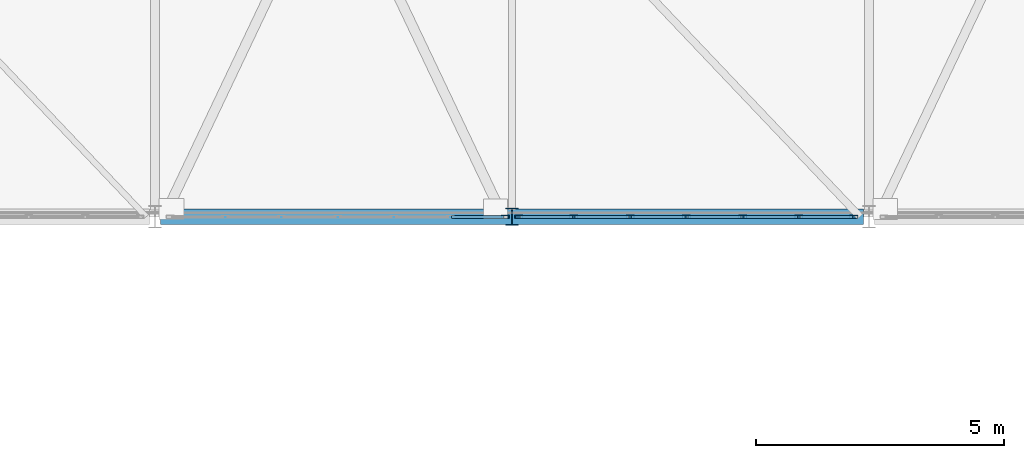
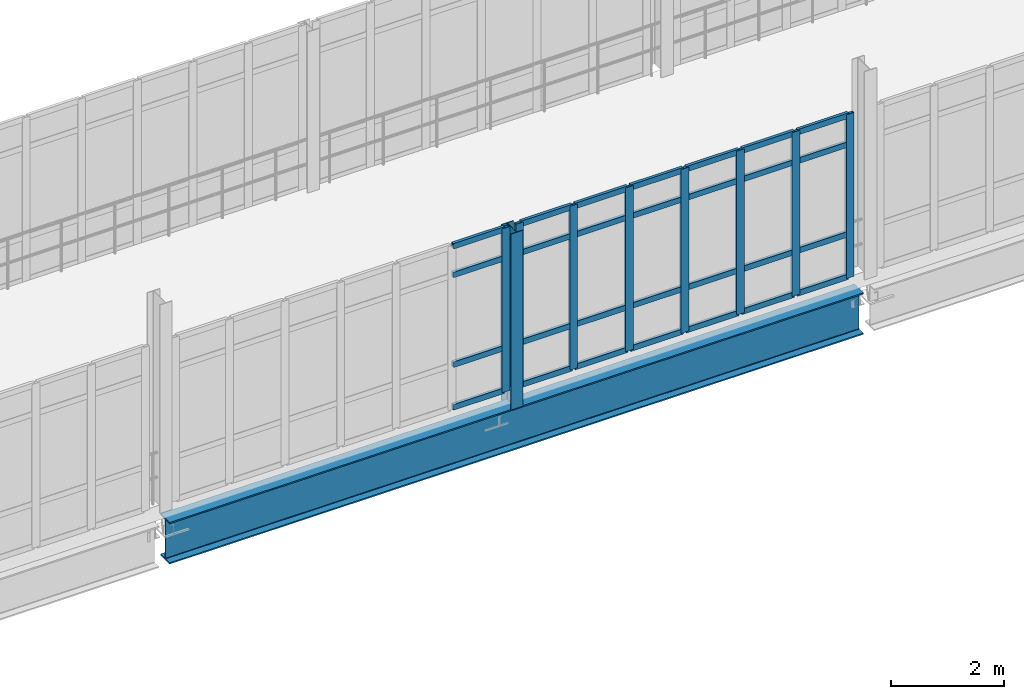
# One storey, part 20 of 124: 37 members, 1 beam, 2 elements without a shape of their own.
"""IFC4 building model written with IfcOpenShell, lengths in metres."""

import ifcopenshell
import ifcopenshell.guid

model = None  # the IFC model being written
_history = None  # IfcOwnerHistory: only IFC2X3 demands one
_inside = {}  # id of a spatial element -> (the spatial element, [elements in it])
_under = {}  # id of a project, library or spatial element -> (it, [spatial elements below it])
_declared = {}  # id of a project -> (the project, [libraries it declares])
_typed = {}  # id of a type object -> (the type object, [elements of that type])
_made_of = {}  # id of a material, layer set ... -> (it, [elements and type objects made of it])


def new_model(schema):
    """Start an empty IFC model of exactly this schema.

    Asked for "IFC4X3", IfcOpenShell would pick the latest addendum, in which some entities
    have other attributes; the version numbers below select the first issue.
    IFC2X3 requires an IfcOwnerHistory on every rooted entity: one is made here for all.
    """
    global model, _history
    if schema == "IFC4X3":
        model = ifcopenshell.file(schema_version=(4, 3, 0, 0))
    else:
        model = ifcopenshell.file(schema=schema)
    _inside.clear()
    _under.clear()
    _declared.clear()
    _typed.clear()
    _made_of.clear()
    _history = None
    if model.schema == "IFC2X3":
        org = make("IfcOrganization", Name="unknown")
        user = make(
            "IfcPersonAndOrganization",
            ThePerson=make("IfcPerson", FamilyName="unknown"),
            TheOrganization=org,
        )
        app = make(
            "IfcApplication",
            ApplicationDeveloper=org,
            Version="unknown",
            ApplicationFullName="unknown",
            ApplicationIdentifier="unknown",
        )
        _history = make(
            "IfcOwnerHistory",
            OwningUser=user,
            OwningApplication=app,
            ChangeAction="ADDED",
            CreationDate=0,
        )
    return model


def make(cls, **values):
    """One entity of the class cls with the attributes given. An attribute that is None is left unset."""
    return model.create_entity(
        cls, **{name: value for name, value in values.items() if value is not None}
    )


def rooted(cls, **values):
    """An entity with a GlobalId (a new one), such as an element, a storey or a relation."""
    return make(cls, GlobalId=ifcopenshell.guid.new(), OwnerHistory=_history, **values)


def si_unit(unit_type, name, prefix=None):
    """IfcSIUnit, for example si_unit("LENGTHUNIT", "METRE", prefix="MILLI")."""
    return make("IfcSIUnit", UnitType=unit_type, Prefix=prefix, Name=name)


def assignment(units):
    """IfcUnitAssignment: the units of a project."""
    return None if units is None else make("IfcUnitAssignment", Units=units)


def point(xyz):
    """IfcCartesianPoint."""
    return None if xyz is None else make("IfcCartesianPoint", Coordinates=xyz)


def direction(xyz):
    """IfcDirection."""
    return None if xyz is None else make("IfcDirection", DirectionRatios=xyz)


def frame(location, z_axis=None, x_axis=None):
    """IfcAxis2Placement3D, a coordinate frame: its origin and axes. An axis left out is left unset."""
    return make(
        "IfcAxis2Placement3D",
        Location=point(location),
        Axis=direction(z_axis),
        RefDirection=direction(x_axis),
    )


def frame_2d(location, x_axis=None):
    """IfcAxis2Placement2D, a coordinate frame in the plane: its origin and x axis."""
    return make(
        "IfcAxis2Placement2D", Location=point(location), RefDirection=direction(x_axis)
    )


def origin():
    """The frame at (0, 0, 0) with its axes left unset."""
    return frame((0.0, 0.0, 0.0))


def origin_2d():
    """The frame at (0, 0) in the plane with its x axis left unset."""
    return frame_2d((0.0, 0.0))


def place(relative_to, where):
    """IfcLocalPlacement: puts the frame where relative to a parent placement (None: the world)."""
    return make(
        "IfcLocalPlacement", PlacementRelTo=relative_to, RelativePlacement=where
    )


def context(
    kind, dimensions, precision=None, world=None, true_north=None, identifier=None
):
    """IfcGeometricRepresentationContext, for example the 3D "Model" context."""
    return make(
        "IfcGeometricRepresentationContext",
        ContextIdentifier=identifier,
        ContextType=kind,
        CoordinateSpaceDimension=dimensions,
        Precision=precision,
        WorldCoordinateSystem=world,
        TrueNorth=true_north,
    )


def subcontext(parent, identifier, kind, view, scale=None):
    """IfcGeometricRepresentationSubContext, for example "Body" below "Model"."""
    return make(
        "IfcGeometricRepresentationSubContext",
        ContextIdentifier=identifier,
        ContextType=kind,
        ParentContext=parent,
        TargetScale=scale,
        TargetView=view,
    )


def project(units=None, contexts=None):
    """IfcProject with its units and contexts."""
    return rooted(
        "IfcProject",
        Name="project",
        RepresentationContexts=contexts,
        UnitsInContext=assignment(units),
    )


def spatial(cls, under=None, at=None, **own):
    """A site, building, storey or space (cls), placed at a placement, below another one or the project."""
    s = rooted(cls, ObjectPlacement=at, **own)
    if under is not None:
        _under.setdefault(under.id(), (under, []))[1].append(s)
    return s


def profile(cls, at=None, kind="AREA", **sizes):
    """A parametric profile (cls). Its sizes go by their IFC names, for example OverallWidth=200.0."""
    return make(cls, ProfileType=kind, Position=at, **sizes)


def hollow_rectangle(**sizes):
    """IfcRectangleHollowProfileDef."""
    return profile("IfcRectangleHollowProfileDef", **sizes)


def i_section(**sizes):
    """IfcIShapeProfileDef."""
    return profile("IfcIShapeProfileDef", **sizes)


def extrude(swept, where, along, depth):
    """IfcExtrudedAreaSolid: the profile swept, set in the frame where, extruded along a direction by depth."""
    return make(
        "IfcExtrudedAreaSolid",
        SweptArea=swept,
        Position=where,
        ExtrudedDirection=direction(along),
        Depth=depth,
    )


def shape(context_of_items, identifier, shape_type, items):
    """IfcShapeRepresentation: the items that make up one representation, for example the "Body"."""
    return make(
        "IfcShapeRepresentation",
        ContextOfItems=context_of_items,
        RepresentationIdentifier=identifier,
        RepresentationType=shape_type,
        Items=items,
    )


def material(Name=None, Category=None):
    """IfcMaterial."""
    return make("IfcMaterial", Name=Name, Category=Category)


def material_profile(
    of_material, cross_section, Name=None, Category=None, Priority=None
):
    """IfcMaterialProfile: a cross section and its material."""
    return make(
        "IfcMaterialProfile",
        Name=Name,
        Material=of_material,
        Profile=cross_section,
        Priority=Priority,
        Category=Category,
    )


def profile_set(profiles, Name=None, composite=None):
    """IfcMaterialProfileSet."""
    return make(
        "IfcMaterialProfileSet",
        Name=Name,
        MaterialProfiles=profiles,
        CompositeProfile=composite,
    )


def made_of(thing, what):
    """Note that an element or type object is made of a material, layer set ...; save() writes the relation."""
    if what is not None:
        _made_of.setdefault(what.id(), (what, []))[1].append(thing)
    return thing


def type_object(cls, material=None, **own):
    """A type object (cls), such as IfcWallType, which elements share."""
    return made_of(rooted(cls, **own), material)


def element(
    cls,
    number,
    at=None,
    inside=None,
    cuts=None,
    type_object=None,
    material=None,
    context=None,
    identifier="Body",
    shape_type=None,
    held_by="IfcProductDefinitionShape",
    body=None,
    shapes=None,
    **own,
):
    """One element of the class cls, such as IfcWall. Its Tag is "e" and its number.

    at: its placement. inside: the storey or other place that contains it. cuts: it is an
    opening in that element (IfcRelVoidsElement). A single representation is given by context,
    identifier, shape_type and body (its items); several are given by shapes. held_by: the class
    of the entity that holds the representations. save() writes the other relations.
    """
    e = rooted(cls, Tag="e%d" % number, ObjectPlacement=at, **own)
    if body is not None:
        shapes = [shape(context, identifier, shape_type, body)]
    if shapes is not None:
        e.Representation = make(held_by, Representations=shapes)
    if inside is not None:
        _inside.setdefault(inside.id(), (inside, []))[1].append(e)
    if cuts is not None:
        rooted(
            "IfcRelVoidsElement", RelatingBuildingElement=cuts, RelatedOpeningElement=e
        )
    if type_object is not None:
        _typed.setdefault(type_object.id(), (type_object, []))[1].append(e)
    return made_of(e, material)


def aggregate(whole, parts):
    """IfcRelAggregates: a whole, such as a stair, and the parts it consists of."""
    return rooted("IfcRelAggregates", RelatingObject=whole, RelatedObjects=parts)


def save(model, path):
    """Write the relations noted so far, then the file.

    IfcRelAggregates (storeys below a building ...), IfcRelContainedInSpatialStructure (elements
    in a storey), IfcRelDefinesByType, IfcRelAssociatesMaterial and IfcRelDeclares: one each for
    every whole, place, type object, material and project.
    """
    for whole, parts in _under.values():
        aggregate(whole, parts)
    for where, things in _inside.values():
        rooted(
            "IfcRelContainedInSpatialStructure",
            RelatedElements=things,
            RelatingStructure=where,
        )
    for kind, things in _typed.values():
        rooted("IfcRelDefinesByType", RelatedObjects=things, RelatingType=kind)
    for what, things in _made_of.values():
        rooted("IfcRelAssociatesMaterial", RelatedObjects=things, RelatingMaterial=what)
    for by, libraries in _declared.values():
        rooted("IfcRelDeclares", RelatingContext=by, RelatedDefinitions=libraries)
    model.write(path)


model = new_model("IFC4")

# Units and contexts
model_context = context("Model", 3, precision=1e-05, world=origin(), true_north=direction((0.0, 1.0)))
body_context = subcontext(model_context, "Body", "Model", "MODEL_VIEW")
ifc_project = project(units=[si_unit("LENGTHUNIT", "METRE"), si_unit("AREAUNIT", "SQUARE_METRE"), si_unit("VOLUMEUNIT", "CUBIC_METRE"), si_unit("PLANEANGLEUNIT", "RADIAN"), si_unit("MASSUNIT", "GRAM", prefix="KILO")], contexts=[model_context])

# Site, building, storey
site_placement = place(None, origin())
site = spatial("IfcSite", under=ifc_project, at=site_placement, CompositionType="ELEMENT")
building_placement = place(site_placement, origin())
building = spatial("IfcBuilding", under=site, at=building_placement, Name="Kalluvel Institute of Natural Sciences", CompositionType="ELEMENT")
storey_placement = place(building_placement, frame((0.0, 0.0, 9.89990234375)))
storey = spatial("IfcBuildingStorey", under=building, at=storey_placement, Name="L02", CompositionType="ELEMENT", Elevation=9.89990234375)

# Beam
ifc_material_1 = material(Name="Steel E350 Grade 350", Category="steel")
ifc_material_profile_1 = material_profile(ifc_material_1, i_section(OverallWidth=0.320068359375, OverallDepth=0.89990234375, WebThickness=0.01611328125, FlangeThickness=0.028076171875, FilletRadius=0.01806640625, at=origin_2d()), Name="WPG 900x320")
ifc_profile_set_1 = profile_set([ifc_material_profile_1], Name="Steel E350 Grade 350")
beam_type = type_object("IfcBeamType", Name="BM-WPG900", PredefinedType="BEAM", material=ifc_profile_set_1)
beam_placement = place(storey_placement, frame((50.110107421875, 28.39990234375, -0.77001953125), z_axis=(1.0, 0.0, 0.0), x_axis=(0.0, 1.0, 0.0)))
element("IfcBeam", 1, at=beam_placement, inside=storey, type_object=beam_type, Name="L02 link bridge main plate-girder chord 2", PredefinedType="BEAM", context=body_context, shape_type="SweptSolid", body=[
    extrude(i_section(OverallWidth=0.320068359375, OverallDepth=0.89990234375, WebThickness=0.01611328125, FlangeThickness=0.028076171875, FilletRadius=0.01806640625, at=origin_2d()), origin(), (0.0, 0.0, 1.0), 14.179931640625),
])

# Curtain wall, member
ifc_material_2 = material(Name="Aluminium AW-6063 T6", Category="aluminium")
curtain_wall_type = type_object("IfcCurtainWallType", Name="CW-BRG-45", PredefinedType="USERDEFINED", material=ifc_material_2)
curtain_wall_1_placement = place(storey_placement, origin())
curtain_wall_1 = element("IfcCurtainWall", 2, at=curtain_wall_1_placement, inside=storey, type_object=curtain_wall_type, Name="L02 Gothic lancet curtain wall CWA-L02-X503-Y284", ObjectType="UNITISED LANCET FACADE", PredefinedType="USERDEFINED")
ifc_material_profile_2 = material_profile(ifc_material_2, hollow_rectangle(XDim=0.06005859375, YDim=0.159912109375, WallThickness=0.00390625, at=origin_2d()), Name="CWM 60x160")
ifc_profile_set_2 = profile_set([ifc_material_profile_2], Name="Aluminium AW-6063 T6")
member_type_1 = type_object("IfcMemberType", Name="CWM-60x160", PredefinedType="MULLION", material=ifc_profile_set_2)
member_1_placement = place(storey_placement, frame((57.06005859375, 28.39990234375, 0.0), z_axis=(0.0, 0.0, 1.0), x_axis=(0.0, 1.0, 0.0)))
member_1 = element("IfcMember", 3, at=member_1_placement, type_object=member_type_1, Name="CW-07 mullion 7", PredefinedType="MULLION", context=body_context, shape_type="SweptSolid", body=[
    extrude(hollow_rectangle(XDim=0.06005859375, YDim=0.159912109375, WallThickness=0.00390625, at=origin_2d()), origin(), (0.0, 0.0, 1.0), 3.5400390625),
])

# Curtain wall, members
curtain_wall_2_placement = place(storey_placement, origin())
curtain_wall_2 = element("IfcCurtainWall", 4, at=curtain_wall_2_placement, inside=storey, type_object=curtain_wall_type, Name="L02 Gothic lancet curtain wall CWA-L02-X573-Y284", ObjectType="UNITISED LANCET FACADE", PredefinedType="USERDEFINED")
member_2_placement = place(storey_placement, frame((57.340087890625, 28.39990234375, 0.0), z_axis=(0.0, 0.0, 1.0), x_axis=(0.0, 1.0, 0.0)))
member_2 = element("IfcMember", 5, at=member_2_placement, type_object=member_type_1, Name="CW-07 mullion 1", PredefinedType="MULLION", context=body_context, shape_type="SweptSolid", body=[
    extrude(hollow_rectangle(XDim=0.06005859375, YDim=0.159912109375, WallThickness=0.00390625, at=origin_2d()), origin(), (0.0, 0.0, 1.0), 3.5400390625),
])
member_3_placement = place(storey_placement, frame((58.44580078125, 28.39990234375, 0.0), z_axis=(0.0, 0.0, 1.0), x_axis=(0.0, 1.0, 0.0)))
member_3 = element("IfcMember", 6, at=member_3_placement, type_object=member_type_1, Name="CW-07 mullion 2", PredefinedType="MULLION", context=body_context, shape_type="SweptSolid", body=[
    extrude(hollow_rectangle(XDim=0.06005859375, YDim=0.159912109375, WallThickness=0.00390625, at=origin_2d()), origin(), (0.0, 0.0, 1.0), 3.5400390625),
])
member_4_placement = place(storey_placement, frame((59.581787109375, 28.39990234375, 0.0), z_axis=(0.0, 0.0, 1.0), x_axis=(0.0, 1.0, 0.0)))
member_4 = element("IfcMember", 7, at=member_4_placement, type_object=member_type_1, Name="CW-07 mullion 3", PredefinedType="MULLION", context=body_context, shape_type="SweptSolid", body=[
    extrude(hollow_rectangle(XDim=0.06005859375, YDim=0.159912109375, WallThickness=0.00390625, at=origin_2d()), origin(), (0.0, 0.0, 1.0), 3.5400390625),
])
member_5_placement = place(storey_placement, frame((60.717529296875, 28.39990234375, 0.0), z_axis=(0.0, 0.0, 1.0), x_axis=(0.0, 1.0, 0.0)))
member_5 = element("IfcMember", 8, at=member_5_placement, type_object=member_type_1, Name="CW-07 mullion 4", PredefinedType="MULLION", context=body_context, shape_type="SweptSolid", body=[
    extrude(hollow_rectangle(XDim=0.06005859375, YDim=0.159912109375, WallThickness=0.00390625, at=origin_2d()), origin(), (0.0, 0.0, 1.0), 3.5400390625),
])
member_6_placement = place(storey_placement, frame((61.853271484375, 28.39990234375, 0.0), z_axis=(0.0, 0.0, 1.0), x_axis=(0.0, 1.0, 0.0)))
member_6 = element("IfcMember", 9, at=member_6_placement, type_object=member_type_1, Name="CW-07 mullion 5", PredefinedType="MULLION", context=body_context, shape_type="SweptSolid", body=[
    extrude(hollow_rectangle(XDim=0.06005859375, YDim=0.159912109375, WallThickness=0.00390625, at=origin_2d()), origin(), (0.0, 0.0, 1.0), 3.5400390625),
])
member_7_placement = place(storey_placement, frame((62.9892578125, 28.39990234375, 0.0), z_axis=(0.0, 0.0, 1.0), x_axis=(0.0, 1.0, 0.0)))
member_7 = element("IfcMember", 10, at=member_7_placement, type_object=member_type_1, Name="CW-07 mullion 6", PredefinedType="MULLION", context=body_context, shape_type="SweptSolid", body=[
    extrude(hollow_rectangle(XDim=0.06005859375, YDim=0.159912109375, WallThickness=0.00390625, at=origin_2d()), origin(), (0.0, 0.0, 1.0), 3.5400390625),
])
member_8_placement = place(storey_placement, frame((64.094970703125, 28.39990234375, 0.0), z_axis=(0.0, 0.0, 1.0), x_axis=(0.0, 1.0, 0.0)))
member_8 = element("IfcMember", 11, at=member_8_placement, type_object=member_type_1, Name="CW-07 mullion 7", PredefinedType="MULLION", context=body_context, shape_type="SweptSolid", body=[
    extrude(hollow_rectangle(XDim=0.06005859375, YDim=0.159912109375, WallThickness=0.00390625, at=origin_2d()), origin(), (0.0, 0.0, 1.0), 3.5400390625),
])

# Member
ifc_material_profile_3 = material_profile(ifc_material_2, hollow_rectangle(XDim=0.06005859375, YDim=0.1201171875, WallThickness=0.00390625, at=origin_2d()), Name="CWT 60x120")
ifc_profile_set_3 = profile_set([ifc_material_profile_3], Name="Aluminium AW-6063 T6")
member_type_2 = type_object("IfcMemberType", Name="CWT-60x120", PredefinedType="USERDEFINED", material=ifc_profile_set_3)
member_9_placement = place(storey_placement, frame((55.984130859375, 28.39990234375, 0.030029296875), z_axis=(1.0, 0.0, 0.0), x_axis=(0.0, 1.0, 0.0)))
member_9 = element("IfcMember", 12, at=member_9_placement, type_object=member_type_2, Name="CW-07 transom 6.1", ObjectType="TRANSOM", PredefinedType="USERDEFINED", context=body_context, shape_type="SweptSolid", body=[
    extrude(hollow_rectangle(XDim=0.06005859375, YDim=0.1201171875, WallThickness=0.00390625, at=origin_2d()), origin(), (0.0, 0.0, 1.0), 1.0458984375),
])

member_10_placement = place(storey_placement, frame((55.984130859375, 28.39990234375, 0.9501953125), z_axis=(1.0, 0.0, 0.0), x_axis=(0.0, 1.0, 0.0)))
member_10 = element("IfcMember", 13, at=member_10_placement, type_object=member_type_2, Name="CW-07 transom 6.2", ObjectType="TRANSOM", PredefinedType="USERDEFINED", context=body_context, shape_type="SweptSolid", body=[
    extrude(hollow_rectangle(XDim=0.06005859375, YDim=0.1201171875, WallThickness=0.00390625, at=origin_2d()), origin(), (0.0, 0.0, 1.0), 1.0458984375),
])

member_11_placement = place(storey_placement, frame((55.984130859375, 28.39990234375, 2.89013671875), z_axis=(1.0, 0.0, 0.0), x_axis=(0.0, 1.0, 0.0)))
member_11 = element("IfcMember", 14, at=member_11_placement, type_object=member_type_2, Name="CW-07 transom 6.3", ObjectType="TRANSOM", PredefinedType="USERDEFINED", context=body_context, shape_type="SweptSolid", body=[
    extrude(hollow_rectangle(XDim=0.06005859375, YDim=0.1201171875, WallThickness=0.00390625, at=origin_2d()), origin(), (0.0, 0.0, 1.0), 1.0458984375),
])

member_12_placement = place(storey_placement, frame((55.984130859375, 28.39990234375, 3.510009765625), z_axis=(1.0, 0.0, 0.0), x_axis=(0.0, 1.0, 0.0)))
member_12 = element("IfcMember", 15, at=member_12_placement, type_object=member_type_2, Name="CW-07 transom 6.4", ObjectType="TRANSOM", PredefinedType="USERDEFINED", context=body_context, shape_type="SweptSolid", body=[
    extrude(hollow_rectangle(XDim=0.06005859375, YDim=0.1201171875, WallThickness=0.00390625, at=origin_2d()), origin(), (0.0, 0.0, 1.0), 1.0458984375),
])

aggregate(curtain_wall_1, [member_1, member_9, member_10, member_11, member_12])

member_13_placement = place(storey_placement, frame((57.3701171875, 28.39990234375, 0.030029296875), z_axis=(1.0, 0.0, 0.0), x_axis=(0.0, 1.0, 0.0)))
member_13 = element("IfcMember", 16, at=member_13_placement, type_object=member_type_2, Name="CW-07 transom 1.1", ObjectType="TRANSOM", PredefinedType="USERDEFINED", context=body_context, shape_type="SweptSolid", body=[
    extrude(hollow_rectangle(XDim=0.06005859375, YDim=0.1201171875, WallThickness=0.00390625, at=origin_2d()), origin(), (0.0, 0.0, 1.0), 1.045654296875),
])

member_14_placement = place(storey_placement, frame((57.3701171875, 28.39990234375, 0.9501953125), z_axis=(1.0, 0.0, 0.0), x_axis=(0.0, 1.0, 0.0)))
member_14 = element("IfcMember", 17, at=member_14_placement, type_object=member_type_2, Name="CW-07 transom 1.2", ObjectType="TRANSOM", PredefinedType="USERDEFINED", context=body_context, shape_type="SweptSolid", body=[
    extrude(hollow_rectangle(XDim=0.06005859375, YDim=0.1201171875, WallThickness=0.00390625, at=origin_2d()), origin(), (0.0, 0.0, 1.0), 1.045654296875),
])

member_15_placement = place(storey_placement, frame((57.3701171875, 28.39990234375, 2.89013671875), z_axis=(1.0, 0.0, 0.0), x_axis=(0.0, 1.0, 0.0)))
member_15 = element("IfcMember", 18, at=member_15_placement, type_object=member_type_2, Name="CW-07 transom 1.3", ObjectType="TRANSOM", PredefinedType="USERDEFINED", context=body_context, shape_type="SweptSolid", body=[
    extrude(hollow_rectangle(XDim=0.06005859375, YDim=0.1201171875, WallThickness=0.00390625, at=origin_2d()), origin(), (0.0, 0.0, 1.0), 1.045654296875),
])

member_16_placement = place(storey_placement, frame((57.3701171875, 28.39990234375, 3.510009765625), z_axis=(1.0, 0.0, 0.0), x_axis=(0.0, 1.0, 0.0)))
member_16 = element("IfcMember", 19, at=member_16_placement, type_object=member_type_2, Name="CW-07 transom 1.4", ObjectType="TRANSOM", PredefinedType="USERDEFINED", context=body_context, shape_type="SweptSolid", body=[
    extrude(hollow_rectangle(XDim=0.06005859375, YDim=0.1201171875, WallThickness=0.00390625, at=origin_2d()), origin(), (0.0, 0.0, 1.0), 1.045654296875),
])

member_17_placement = place(storey_placement, frame((58.475830078125, 28.39990234375, 0.030029296875), z_axis=(1.0, 0.0, 0.0), x_axis=(0.0, 1.0, 0.0)))
member_17 = element("IfcMember", 20, at=member_17_placement, type_object=member_type_2, Name="CW-07 transom 2.1", ObjectType="TRANSOM", PredefinedType="USERDEFINED", context=body_context, shape_type="SweptSolid", body=[
    extrude(hollow_rectangle(XDim=0.06005859375, YDim=0.1201171875, WallThickness=0.00390625, at=origin_2d()), origin(), (0.0, 0.0, 1.0), 1.075927734375),
])

member_18_placement = place(storey_placement, frame((58.475830078125, 28.39990234375, 0.9501953125), z_axis=(1.0, 0.0, 0.0), x_axis=(0.0, 1.0, 0.0)))
member_18 = element("IfcMember", 21, at=member_18_placement, type_object=member_type_2, Name="CW-07 transom 2.2", ObjectType="TRANSOM", PredefinedType="USERDEFINED", context=body_context, shape_type="SweptSolid", body=[
    extrude(hollow_rectangle(XDim=0.06005859375, YDim=0.1201171875, WallThickness=0.00390625, at=origin_2d()), origin(), (0.0, 0.0, 1.0), 1.075927734375),
])

member_19_placement = place(storey_placement, frame((58.475830078125, 28.39990234375, 2.89013671875), z_axis=(1.0, 0.0, 0.0), x_axis=(0.0, 1.0, 0.0)))
member_19 = element("IfcMember", 22, at=member_19_placement, type_object=member_type_2, Name="CW-07 transom 2.3", ObjectType="TRANSOM", PredefinedType="USERDEFINED", context=body_context, shape_type="SweptSolid", body=[
    extrude(hollow_rectangle(XDim=0.06005859375, YDim=0.1201171875, WallThickness=0.00390625, at=origin_2d()), origin(), (0.0, 0.0, 1.0), 1.075927734375),
])

member_20_placement = place(storey_placement, frame((58.475830078125, 28.39990234375, 3.510009765625), z_axis=(1.0, 0.0, 0.0), x_axis=(0.0, 1.0, 0.0)))
member_20 = element("IfcMember", 23, at=member_20_placement, type_object=member_type_2, Name="CW-07 transom 2.4", ObjectType="TRANSOM", PredefinedType="USERDEFINED", context=body_context, shape_type="SweptSolid", body=[
    extrude(hollow_rectangle(XDim=0.06005859375, YDim=0.1201171875, WallThickness=0.00390625, at=origin_2d()), origin(), (0.0, 0.0, 1.0), 1.075927734375),
])

member_21_placement = place(storey_placement, frame((59.611572265625, 28.39990234375, 0.030029296875), z_axis=(1.0, 0.0, 0.0), x_axis=(0.0, 1.0, 0.0)))
member_21 = element("IfcMember", 24, at=member_21_placement, type_object=member_type_2, Name="CW-07 transom 3.1", ObjectType="TRANSOM", PredefinedType="USERDEFINED", context=body_context, shape_type="SweptSolid", body=[
    extrude(hollow_rectangle(XDim=0.06005859375, YDim=0.1201171875, WallThickness=0.00390625, at=origin_2d()), origin(), (0.0, 0.0, 1.0), 1.075927734375),
])

member_22_placement = place(storey_placement, frame((59.611572265625, 28.39990234375, 0.9501953125), z_axis=(1.0, 0.0, 0.0), x_axis=(0.0, 1.0, 0.0)))
member_22 = element("IfcMember", 25, at=member_22_placement, type_object=member_type_2, Name="CW-07 transom 3.2", ObjectType="TRANSOM", PredefinedType="USERDEFINED", context=body_context, shape_type="SweptSolid", body=[
    extrude(hollow_rectangle(XDim=0.06005859375, YDim=0.1201171875, WallThickness=0.00390625, at=origin_2d()), origin(), (0.0, 0.0, 1.0), 1.075927734375),
])

member_23_placement = place(storey_placement, frame((59.611572265625, 28.39990234375, 2.89013671875), z_axis=(1.0, 0.0, 0.0), x_axis=(0.0, 1.0, 0.0)))
member_23 = element("IfcMember", 26, at=member_23_placement, type_object=member_type_2, Name="CW-07 transom 3.3", ObjectType="TRANSOM", PredefinedType="USERDEFINED", context=body_context, shape_type="SweptSolid", body=[
    extrude(hollow_rectangle(XDim=0.06005859375, YDim=0.1201171875, WallThickness=0.00390625, at=origin_2d()), origin(), (0.0, 0.0, 1.0), 1.075927734375),
])

member_24_placement = place(storey_placement, frame((59.611572265625, 28.39990234375, 3.510009765625), z_axis=(1.0, 0.0, 0.0), x_axis=(0.0, 1.0, 0.0)))
member_24 = element("IfcMember", 27, at=member_24_placement, type_object=member_type_2, Name="CW-07 transom 3.4", ObjectType="TRANSOM", PredefinedType="USERDEFINED", context=body_context, shape_type="SweptSolid", body=[
    extrude(hollow_rectangle(XDim=0.06005859375, YDim=0.1201171875, WallThickness=0.00390625, at=origin_2d()), origin(), (0.0, 0.0, 1.0), 1.075927734375),
])

member_25_placement = place(storey_placement, frame((60.74755859375, 28.39990234375, 0.030029296875), z_axis=(1.0, 0.0, 0.0), x_axis=(0.0, 1.0, 0.0)))
member_25 = element("IfcMember", 28, at=member_25_placement, type_object=member_type_2, Name="CW-07 transom 4.1", ObjectType="TRANSOM", PredefinedType="USERDEFINED", context=body_context, shape_type="SweptSolid", body=[
    extrude(hollow_rectangle(XDim=0.06005859375, YDim=0.1201171875, WallThickness=0.00390625, at=origin_2d()), origin(), (0.0, 0.0, 1.0), 1.07568359375),
])

member_26_placement = place(storey_placement, frame((60.74755859375, 28.39990234375, 0.9501953125), z_axis=(1.0, 0.0, 0.0), x_axis=(0.0, 1.0, 0.0)))
member_26 = element("IfcMember", 29, at=member_26_placement, type_object=member_type_2, Name="CW-07 transom 4.2", ObjectType="TRANSOM", PredefinedType="USERDEFINED", context=body_context, shape_type="SweptSolid", body=[
    extrude(hollow_rectangle(XDim=0.06005859375, YDim=0.1201171875, WallThickness=0.00390625, at=origin_2d()), origin(), (0.0, 0.0, 1.0), 1.07568359375),
])

member_27_placement = place(storey_placement, frame((60.74755859375, 28.39990234375, 2.89013671875), z_axis=(1.0, 0.0, 0.0), x_axis=(0.0, 1.0, 0.0)))
member_27 = element("IfcMember", 30, at=member_27_placement, type_object=member_type_2, Name="CW-07 transom 4.3", ObjectType="TRANSOM", PredefinedType="USERDEFINED", context=body_context, shape_type="SweptSolid", body=[
    extrude(hollow_rectangle(XDim=0.06005859375, YDim=0.1201171875, WallThickness=0.00390625, at=origin_2d()), origin(), (0.0, 0.0, 1.0), 1.07568359375),
])

member_28_placement = place(storey_placement, frame((60.74755859375, 28.39990234375, 3.510009765625), z_axis=(1.0, 0.0, 0.0), x_axis=(0.0, 1.0, 0.0)))
member_28 = element("IfcMember", 31, at=member_28_placement, type_object=member_type_2, Name="CW-07 transom 4.4", ObjectType="TRANSOM", PredefinedType="USERDEFINED", context=body_context, shape_type="SweptSolid", body=[
    extrude(hollow_rectangle(XDim=0.06005859375, YDim=0.1201171875, WallThickness=0.00390625, at=origin_2d()), origin(), (0.0, 0.0, 1.0), 1.07568359375),
])

member_29_placement = place(storey_placement, frame((61.88330078125, 28.39990234375, 0.030029296875), z_axis=(1.0, 0.0, 0.0), x_axis=(0.0, 1.0, 0.0)))
member_29 = element("IfcMember", 32, at=member_29_placement, type_object=member_type_2, Name="CW-07 transom 5.1", ObjectType="TRANSOM", PredefinedType="USERDEFINED", context=body_context, shape_type="SweptSolid", body=[
    extrude(hollow_rectangle(XDim=0.06005859375, YDim=0.1201171875, WallThickness=0.00390625, at=origin_2d()), origin(), (0.0, 0.0, 1.0), 1.075927734375),
])

member_30_placement = place(storey_placement, frame((61.88330078125, 28.39990234375, 0.9501953125), z_axis=(1.0, 0.0, 0.0), x_axis=(0.0, 1.0, 0.0)))
member_30 = element("IfcMember", 33, at=member_30_placement, type_object=member_type_2, Name="CW-07 transom 5.2", ObjectType="TRANSOM", PredefinedType="USERDEFINED", context=body_context, shape_type="SweptSolid", body=[
    extrude(hollow_rectangle(XDim=0.06005859375, YDim=0.1201171875, WallThickness=0.00390625, at=origin_2d()), origin(), (0.0, 0.0, 1.0), 1.075927734375),
])

member_31_placement = place(storey_placement, frame((61.88330078125, 28.39990234375, 2.89013671875), z_axis=(1.0, 0.0, 0.0), x_axis=(0.0, 1.0, 0.0)))
member_31 = element("IfcMember", 34, at=member_31_placement, type_object=member_type_2, Name="CW-07 transom 5.3", ObjectType="TRANSOM", PredefinedType="USERDEFINED", context=body_context, shape_type="SweptSolid", body=[
    extrude(hollow_rectangle(XDim=0.06005859375, YDim=0.1201171875, WallThickness=0.00390625, at=origin_2d()), origin(), (0.0, 0.0, 1.0), 1.075927734375),
])

member_32_placement = place(storey_placement, frame((61.88330078125, 28.39990234375, 3.510009765625), z_axis=(1.0, 0.0, 0.0), x_axis=(0.0, 1.0, 0.0)))
member_32 = element("IfcMember", 35, at=member_32_placement, type_object=member_type_2, Name="CW-07 transom 5.4", ObjectType="TRANSOM", PredefinedType="USERDEFINED", context=body_context, shape_type="SweptSolid", body=[
    extrude(hollow_rectangle(XDim=0.06005859375, YDim=0.1201171875, WallThickness=0.00390625, at=origin_2d()), origin(), (0.0, 0.0, 1.0), 1.075927734375),
])

member_33_placement = place(storey_placement, frame((63.019287109375, 28.39990234375, 0.030029296875), z_axis=(1.0, 0.0, 0.0), x_axis=(0.0, 1.0, 0.0)))
member_33 = element("IfcMember", 36, at=member_33_placement, type_object=member_type_2, Name="CW-07 transom 6.1", ObjectType="TRANSOM", PredefinedType="USERDEFINED", context=body_context, shape_type="SweptSolid", body=[
    extrude(hollow_rectangle(XDim=0.06005859375, YDim=0.1201171875, WallThickness=0.00390625, at=origin_2d()), origin(), (0.0, 0.0, 1.0), 1.045654296875),
])

member_34_placement = place(storey_placement, frame((63.019287109375, 28.39990234375, 0.9501953125), z_axis=(1.0, 0.0, 0.0), x_axis=(0.0, 1.0, 0.0)))
member_34 = element("IfcMember", 37, at=member_34_placement, type_object=member_type_2, Name="CW-07 transom 6.2", ObjectType="TRANSOM", PredefinedType="USERDEFINED", context=body_context, shape_type="SweptSolid", body=[
    extrude(hollow_rectangle(XDim=0.06005859375, YDim=0.1201171875, WallThickness=0.00390625, at=origin_2d()), origin(), (0.0, 0.0, 1.0), 1.045654296875),
])

member_35_placement = place(storey_placement, frame((63.019287109375, 28.39990234375, 2.89013671875), z_axis=(1.0, 0.0, 0.0), x_axis=(0.0, 1.0, 0.0)))
member_35 = element("IfcMember", 38, at=member_35_placement, type_object=member_type_2, Name="CW-07 transom 6.3", ObjectType="TRANSOM", PredefinedType="USERDEFINED", context=body_context, shape_type="SweptSolid", body=[
    extrude(hollow_rectangle(XDim=0.06005859375, YDim=0.1201171875, WallThickness=0.00390625, at=origin_2d()), origin(), (0.0, 0.0, 1.0), 1.045654296875),
])

member_36_placement = place(storey_placement, frame((63.019287109375, 28.39990234375, 3.510009765625), z_axis=(1.0, 0.0, 0.0), x_axis=(0.0, 1.0, 0.0)))
member_36 = element("IfcMember", 39, at=member_36_placement, type_object=member_type_2, Name="CW-07 transom 6.4", ObjectType="TRANSOM", PredefinedType="USERDEFINED", context=body_context, shape_type="SweptSolid", body=[
    extrude(hollow_rectangle(XDim=0.06005859375, YDim=0.1201171875, WallThickness=0.00390625, at=origin_2d()), origin(), (0.0, 0.0, 1.0), 1.045654296875),
])

aggregate(curtain_wall_2, [member_2, member_3, member_4, member_5, member_6, member_7, member_8, member_13, member_14, member_15, member_16, member_17, member_18, member_19, member_20, member_21, member_22, member_23, member_24, member_25, member_26, member_27, member_28, member_29, member_30, member_31, member_32, member_33, member_34, member_35, member_36])

ifc_material_profile_4 = material_profile(ifc_material_1, i_section(OverallWidth=0.25, OverallDepth=0.35009765625, WebThickness=0.010009765625, FlangeThickness=0.01171875, FilletRadius=0.011962890625, at=origin_2d()), Name="ISHB 350")
ifc_profile_set_4 = profile_set([ifc_material_profile_4], Name="Steel E350 Grade 350")
member_type_3 = type_object("IfcMemberType", Name="MB-ST-ISHB350", PredefinedType="STRUT", material=ifc_profile_set_4)
member_37_placement = place(storey_placement, frame((57.199951171875, 28.39990234375, -0.31982421875), z_axis=(0.0, 0.0, 1.0), x_axis=(1.0, 0.0, 0.0)))
element("IfcMember", 40, at=member_37_placement, inside=storey, type_object=member_type_3, Name="Glazed link bridge truss post 17", PredefinedType="STRUT", context=body_context, shape_type="SweptSolid", body=[
    extrude(i_section(OverallWidth=0.25, OverallDepth=0.35009765625, WebThickness=0.010009765625, FlangeThickness=0.01171875, FilletRadius=0.011962890625, at=origin_2d()), origin(), (0.0, 0.0, 1.0), 3.7998046875),
])

save(model, "model.ifc")
